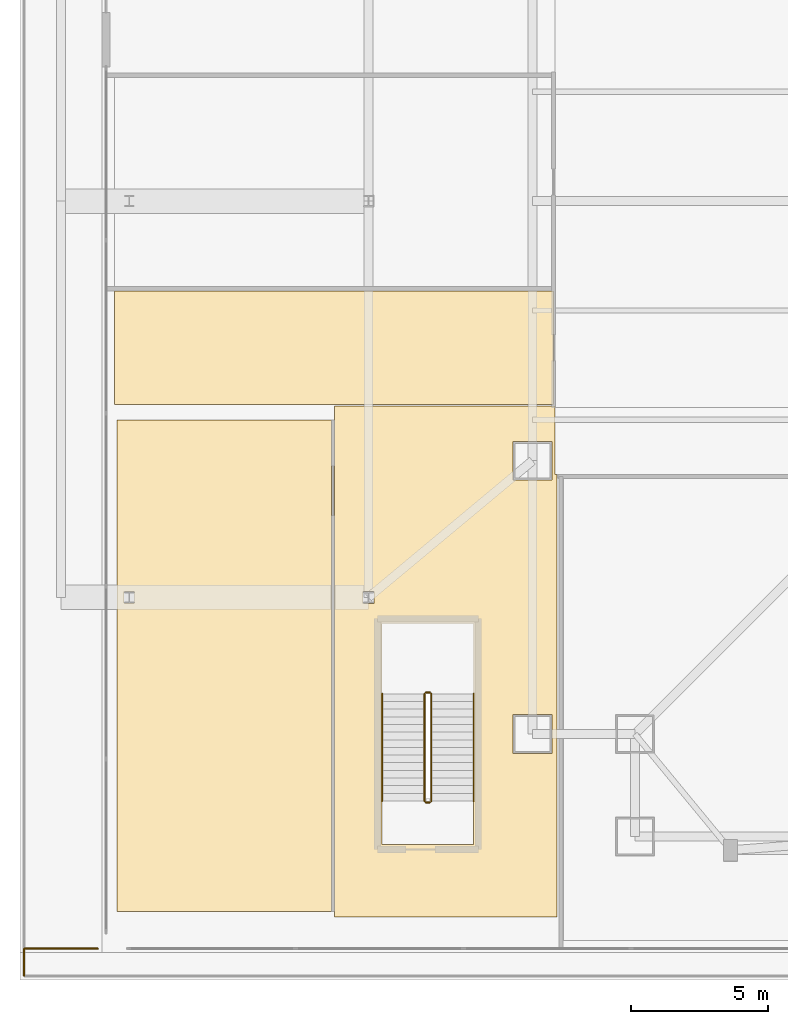
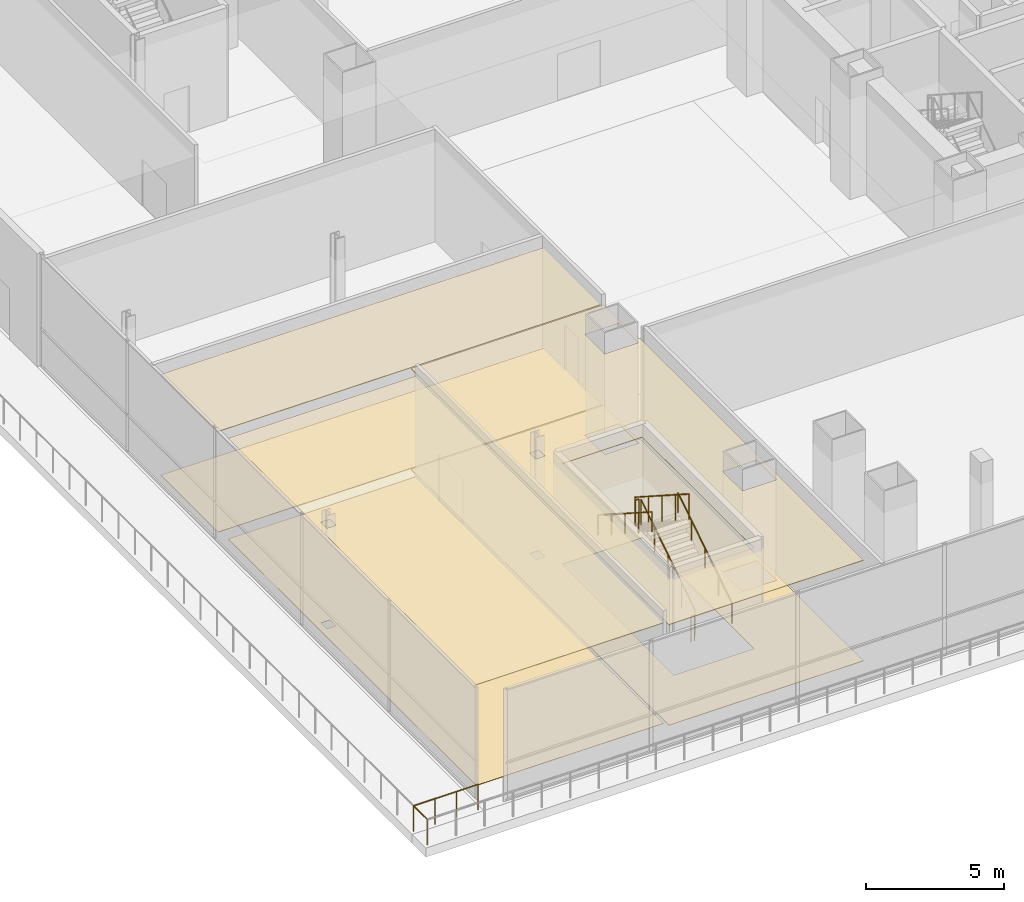
# One storey, part 25 of 36: 8 railings, 6 coverings.
"""IFC4 building model written with IfcOpenShell, lengths in metres."""

from ifc_helpers import new_model, si_unit, direction, frame, origin, origin_2d, place, context, subcontext, project, spatial, polyline, circle, outline, extrude, material, layer, layer_set, type_object, element, save


model = new_model("IFC4")

# Units and contexts
model_context = context("Model", 3, precision=1e-05, world=origin(), true_north=direction((0.0, 1.0)))
body_context = subcontext(model_context, "Body", "Model", "MODEL_VIEW")
ifc_project = project(units=[si_unit("LENGTHUNIT", "METRE"), si_unit("AREAUNIT", "SQUARE_METRE"), si_unit("VOLUMEUNIT", "CUBIC_METRE"), si_unit("PLANEANGLEUNIT", "RADIAN"), si_unit("MASSUNIT", "GRAM", prefix="KILO")], contexts=[model_context])

# Site, building, storey
site_placement = place(None, origin())
site = spatial("IfcSite", under=ifc_project, at=site_placement, CompositionType="ELEMENT")
building_placement = place(site_placement, origin())
building = spatial("IfcBuilding", under=site, at=building_placement, Name="Trevonay Congress Spire", CompositionType="ELEMENT")
storey_placement = place(building_placement, frame((0.0, 0.0, 5.39990234375)))
storey = spatial("IfcBuildingStorey", under=building, at=storey_placement, Name="L01", CompositionType="ELEMENT", Elevation=5.39990234375)

# Coverings
ifc_material_1 = material(Name="Acoustic Mineral Fibre Board", Category="gypsum")
ifc_layer_1 = layer(ifc_material_1, 0.02490234375, Name="Acoustic Mineral Fibre Board")
ifc_layer_set_1 = layer_set([ifc_layer_1], Name="Acoustic Mineral Fibre Board")
covering_type_1 = type_object("IfcCoveringType", Name="COV-CEIL-ACOUSTIC", PredefinedType="CEILING", material=ifc_layer_set_1)
covering_1_placement = place(storey_placement, frame((0.0, 0.0, 4.4501953125)))
element("IfcCovering", 1, at=covering_1_placement, inside=storey, type_object=covering_type_1, Name="L01 West Convention Breakout Salon acoustic suspended ceiling", PredefinedType="CEILING", context=body_context, shape_type="SweptSolid", body=[
    extrude(outline(polyline([(-38.550048828125, -7.449951171875), (-22.47998046875, -7.449951171875), (-22.47998046875, -3.280029296875), (-38.550048828125, -3.280029296875), (-38.550048828125, -7.449951171875)])), origin(), (0.0, 0.0, 1.0), 0.02490234375),
])
covering_2_placement = place(storey_placement, frame((0.0, 0.0, 4.4501953125)))
element("IfcCovering", 2, at=covering_2_placement, inside=storey, type_object=covering_type_1, Name="L01 L01 Stair Lobby SW acoustic suspended ceiling", PredefinedType="CEILING", context=body_context, shape_type="SweptSolid", body=[
    extrude(outline(polyline([(-30.5, -26.199951171875), (-30.5, -7.5), (-22.419921875, -7.5), (-22.419921875, -7.550048828125), (-22.419921875, -10.0), (-22.35009765625, -10.0), (-22.35009765625, -26.199951171875), (-30.5, -26.199951171875)]), holes=[polyline([(-22.5400390625, -20.2099609375), (-22.5400390625, -18.7900390625), (-23.9599609375, -18.7900390625), (-23.9599609375, -20.2099609375), (-22.5400390625, -20.2099609375)]), polyline([(-29.444091796875, -14.722412109375), (-29.055908203125, -14.722412109375), (-29.055908203125, -14.277587890625), (-29.444091796875, -14.277587890625), (-29.444091796875, -14.722412109375)]), polyline([(-23.9599609375, -10.2099609375), (-22.5400390625, -10.2099609375), (-22.5400390625, -8.7900390625), (-23.9599609375, -8.7900390625), (-23.9599609375, -10.2099609375)]), polyline([(-28.75, -15.449951171875), (-28.75, -23.550048828125), (-25.39990234375, -23.550048828125), (-25.39990234375, -15.449951171875), (-28.75, -15.449951171875)])]), origin(), (0.0, 0.0, 1.0), 0.02490234375),
])
covering_3_placement = place(storey_placement, frame((0.0, 0.0, 4.4501953125)))
element("IfcCovering", 3, at=covering_3_placement, inside=storey, type_object=covering_type_1, Name="L01 L01 South-West Exhibition Salon acoustic suspended ceiling", PredefinedType="CEILING", context=body_context, shape_type="SweptSolid", body=[
    extrude(outline(polyline([(-38.449951171875, -8.0), (-30.60009765625, -8.0), (-30.60009765625, -26.0), (-38.449951171875, -26.0), (-38.449951171875, -8.0)]), holes=[polyline([(-37.81396484375, -14.71337890625), (-37.81396484375, -14.28662109375), (-38.18603515625, -14.28662109375), (-38.18603515625, -14.71337890625), (-37.81396484375, -14.71337890625)])]), origin(), (0.0, 0.0, 1.0), 0.02490234375),
])
ifc_material_2 = material(Name="Polished Granite Floor Tile", Category="masonry")
ifc_layer_2 = layer(ifc_material_2, 0.02001953125, Name="Polished Granite Floor Tile")
ifc_layer_set_2 = layer_set([ifc_layer_2], Name="Polished Granite Floor Tile")
covering_type_2 = type_object("IfcCoveringType", Name="COV-FLOOR-STONE", PredefinedType="FLOORING", material=ifc_layer_set_2)
covering_4_placement = place(storey_placement, origin())
element("IfcCovering", 4, at=covering_4_placement, inside=storey, type_object=covering_type_2, Name="L01 L01 Stair Lobby SW floor finish", PredefinedType="FLOORING", context=body_context, shape_type="SweptSolid", body=[
    extrude(outline(polyline([(-30.5, -26.199951171875), (-30.5, -7.5), (-22.419921875, -7.5), (-22.419921875, -7.550048828125), (-22.419921875, -10.0), (-22.35009765625, -10.0), (-22.35009765625, -26.199951171875), (-30.5, -26.199951171875)]), holes=[polyline([(-22.5400390625, -20.2099609375), (-22.5400390625, -18.7900390625), (-23.9599609375, -18.7900390625), (-23.9599609375, -20.2099609375), (-22.5400390625, -20.2099609375)]), polyline([(-29.444091796875, -14.722412109375), (-29.055908203125, -14.722412109375), (-29.055908203125, -14.277587890625), (-29.444091796875, -14.277587890625), (-29.444091796875, -14.722412109375)]), polyline([(-23.9599609375, -10.2099609375), (-22.5400390625, -10.2099609375), (-22.5400390625, -8.7900390625), (-23.9599609375, -8.7900390625), (-23.9599609375, -10.2099609375)]), polyline([(-28.75, -15.449951171875), (-28.75, -23.550048828125), (-25.39990234375, -23.550048828125), (-25.39990234375, -15.449951171875), (-28.75, -15.449951171875)])]), origin(), (0.0, 0.0, 1.0), 0.02001953125),
])
ifc_material_3 = material(Name="Engineered Oak Flooring", Category="wood")
ifc_layer_3 = layer(ifc_material_3, 0.01806640625, Name="Engineered Oak Flooring")
ifc_layer_set_3 = layer_set([ifc_layer_3], Name="Engineered Oak Flooring")
covering_type_3 = type_object("IfcCoveringType", Name="COV-FLOOR-TIMBER", PredefinedType="FLOORING", material=ifc_layer_set_3)
covering_5_placement = place(storey_placement, origin())
element("IfcCovering", 5, at=covering_5_placement, inside=storey, type_object=covering_type_3, Name="L01 West Convention Breakout Salon floor finish", PredefinedType="FLOORING", context=body_context, shape_type="SweptSolid", body=[
    extrude(outline(polyline([(-38.550048828125, -7.449951171875), (-22.47998046875, -7.449951171875), (-22.47998046875, -3.280029296875), (-38.550048828125, -3.280029296875), (-38.550048828125, -7.449951171875)])), origin(), (0.0, 0.0, 1.0), 0.01806640625),
])
covering_6_placement = place(storey_placement, origin())
element("IfcCovering", 6, at=covering_6_placement, inside=storey, type_object=covering_type_3, Name="L01 L01 South-West Exhibition Salon floor finish", PredefinedType="FLOORING", context=body_context, shape_type="SweptSolid", body=[
    extrude(outline(polyline([(-38.449951171875, -8.0), (-30.60009765625, -8.0), (-30.60009765625, -26.0), (-38.449951171875, -26.0), (-38.449951171875, -8.0)]), holes=[polyline([(-37.81396484375, -14.71337890625), (-37.81396484375, -14.28662109375), (-38.18603515625, -14.28662109375), (-38.18603515625, -14.71337890625), (-37.81396484375, -14.71337890625)])]), origin(), (0.0, 0.0, 1.0), 0.01806640625),
])

# Railings
ifc_material_4 = material(Name="Pale Anodised Aluminium EN AW-6063-T6", Category="aluminium")
railing_type_1 = type_object("IfcRailingType", Name="RAL-EXT-GUARD-115", PredefinedType="GUARDRAIL", material=ifc_material_4)
railing_1_placement = place(storey_placement, frame((-41.85009765625, -27.35009765625, 0.0)))
element("IfcRailing", 7, at=railing_1_placement, inside=storey, type_object=railing_type_1, Name="L01 perimeter safety guard GRD-L01-TER-W-1", PredefinedType="GUARDRAIL", context=body_context, shape_type="SweptSolid", body=[
    extrude(circle(Radius=0.02392578125, at=origin_2d()), frame((0.0, 0.0, 1.1259765625), z_axis=(1.0, 0.0, 0.0), x_axis=(0.0, 1.0, 0.0)), (0.0, 0.0, 1.0), 2.7001953125),
    extrude(circle(Radius=0.02099609375, at=origin_2d()), origin(), (0.0, 0.0, 1.0), 1.101806640625),
    extrude(circle(Radius=0.02099609375, at=origin_2d()), frame((0.900146484375, 0.0, 0.0)), (0.0, 0.0, 1.0), 1.101806640625),
    extrude(circle(Radius=0.02099609375, at=origin_2d()), frame((1.800048828125, 0.0, 0.0)), (0.0, 0.0, 1.0), 1.101806640625),
    extrude(circle(Radius=0.02099609375, at=origin_2d()), frame((2.7001953125, 0.0, 0.0)), (0.0, 0.0, 1.0), 1.101806640625),
])
railing_2_placement = place(storey_placement, frame((-41.85009765625, -27.35009765625, 0.0)))
element("IfcRailing", 8, at=railing_2_placement, inside=storey, type_object=railing_type_1, Name="L01 perimeter safety guard GRD-L01-TER-S-1", PredefinedType="GUARDRAIL", context=body_context, shape_type="SweptSolid", body=[
    extrude(circle(Radius=0.02392578125, at=origin_2d()), frame((0.0, 0.0, 1.1259765625), z_axis=(0.0, -1.0, 0.0), x_axis=(1.0, 0.0, 0.0)), (0.0, 0.0, 1.0), 1.0),
    extrude(circle(Radius=0.02099609375, at=origin_2d()), origin(), (0.0, 0.0, 1.0), 1.101806640625),
    extrude(circle(Radius=0.02099609375, at=origin_2d()), frame((0.0, -1.0, 0.0)), (0.0, 0.0, 1.0), 1.101806640625),
])
railing_type_2 = type_object("IfcRailingType", Name="RAL-STAIR-GUARD-110", PredefinedType="GUARDRAIL", material=ifc_material_4)
railing_3_placement = place(storey_placement, frame((-26.949951171875, -21.949951171875, 0.18017578125)))
element("IfcRailing", 9, at=railing_3_placement, inside=storey, type_object=railing_type_2, Name="L01 ST-3 stair guard 1", PredefinedType="GUARDRAIL", context=body_context, shape_type="SweptSolid", body=[
    extrude(circle(Radius=0.02392578125, at=origin_2d()), frame((0.0, 0.0, 1.1259765625), z_axis=(0.0, 0.841171666519, 0.540768182723), x_axis=(-1.0, 0.0, 0.0)), (0.0, 0.0, 1.0), 4.66015625),
    extrude(circle(Radius=0.02099609375, at=origin_2d()), origin(), (0.0, 0.0, 1.0), 1.101806640625),
    extrude(circle(Radius=0.02099609375, at=origin_2d()), frame((0.0, 0.97998046875, 0.6298828125)), (0.0, 0.0, 1.0), 1.101806640625),
    extrude(circle(Radius=0.02099609375, at=origin_2d()), frame((0.0, 1.9599609375, 1.260009765625)), (0.0, 0.0, 1.0), 1.101806640625),
    extrude(circle(Radius=0.02099609375, at=origin_2d()), frame((0.0, 2.93994140625, 1.89013671875)), (0.0, 0.0, 1.0), 1.101806640625),
    extrude(circle(Radius=0.02099609375, at=origin_2d()), frame((0.0, 3.919921875, 2.52001953125)), (0.0, 0.0, 1.0), 1.101806640625),
])
railing_4_placement = place(storey_placement, frame((-27.0, -17.97998046875, 2.7001953125)))
element("IfcRailing", 10, at=railing_4_placement, inside=storey, type_object=railing_type_2, Name="L01 ST-3 stair guard 2", PredefinedType="GUARDRAIL", context=body_context, shape_type="SweptSolid", body=[
    extrude(circle(Radius=0.02392578125, at=origin_2d()), frame((0.0, 0.0, 1.1259765625), z_axis=(-1.0, 0.0, 0.0), x_axis=(0.0, -1.0, 0.0)), (0.0, 0.0, 1.0), 0.14990234375),
    extrude(circle(Radius=0.02099609375, at=origin_2d()), origin(), (0.0, 0.0, 1.0), 1.101806640625),
    extrude(circle(Radius=0.02099609375, at=origin_2d()), frame((-0.14990234375, 0.0, 0.0)), (0.0, 0.0, 1.0), 1.101806640625),
])
railing_5_placement = place(storey_placement, frame((-27.199951171875, -18.030029296875, 2.880126953125)))
element("IfcRailing", 11, at=railing_5_placement, inside=storey, type_object=railing_type_2, Name="L01 ST-3 stair guard 3", PredefinedType="GUARDRAIL", context=body_context, shape_type="SweptSolid", body=[
    extrude(circle(Radius=0.02392578125, at=origin_2d()), frame((0.0, 0.0, 1.1259765625), z_axis=(0.0, -0.841171666519, 0.540768182723), x_axis=(1.0, 0.0, 0.0)), (0.0, 0.0, 1.0), 4.66015625),
    extrude(circle(Radius=0.02099609375, at=origin_2d()), origin(), (0.0, 0.0, 1.0), 1.101806640625),
    extrude(circle(Radius=0.02099609375, at=origin_2d()), frame((0.0, -0.97998046875, 0.6298828125)), (0.0, 0.0, 1.0), 1.101806640625),
    extrude(circle(Radius=0.02099609375, at=origin_2d()), frame((0.0, -1.9599609375, 1.260009765625)), (0.0, 0.0, 1.0), 1.101806640625),
    extrude(circle(Radius=0.02099609375, at=origin_2d()), frame((0.0, -2.93994140625, 1.89013671875)), (0.0, 0.0, 1.0), 1.101806640625),
    extrude(circle(Radius=0.02099609375, at=origin_2d()), frame((0.0, -3.919921875, 2.52001953125)), (0.0, 0.0, 1.0), 1.101806640625),
])
railing_6_placement = place(storey_placement, frame((-27.0, -22.0, 0.0)))
element("IfcRailing", 12, at=railing_6_placement, inside=storey, type_object=railing_type_2, Name="L01 ST-3 stair guard 4", PredefinedType="GUARDRAIL", context=body_context, shape_type="SweptSolid", body=[
    extrude(circle(Radius=0.02392578125, at=origin_2d()), frame((0.0, 0.0, 1.1259765625), z_axis=(-1.0, 0.0, 0.0), x_axis=(0.0, -1.0, 0.0)), (0.0, 0.0, 1.0), 0.14990234375),
    extrude(circle(Radius=0.02099609375, at=origin_2d()), origin(), (0.0, 0.0, 1.0), 1.101806640625),
    extrude(circle(Radius=0.02099609375, at=origin_2d()), frame((-0.14990234375, 0.0, 0.0)), (0.0, 0.0, 1.0), 1.101806640625),
])
railing_type_3 = type_object("IfcRailingType", Name="RAL-STAIR-HANDRAIL", PredefinedType="HANDRAIL", material=ifc_material_4)
railing_7_placement = place(storey_placement, frame((-25.39990234375, -21.949951171875, 0.18017578125)))
element("IfcRailing", 13, at=railing_7_placement, inside=storey, type_object=railing_type_3, Name="L01 ST-3 stair handrail 1", PredefinedType="HANDRAIL", context=body_context, shape_type="SweptSolid", body=[
    extrude(circle(Radius=0.02392578125, at=origin_2d()), frame((0.0, 0.0, 0.8759765625), z_axis=(0.0, 0.841171666519, 0.540768182723), x_axis=(-1.0, 0.0, 0.0)), (0.0, 0.0, 1.0), 4.66015625),
    extrude(circle(Radius=0.02099609375, at=origin_2d()), origin(), (0.0, 0.0, 1.0), 0.851806640625),
    extrude(circle(Radius=0.02099609375, at=origin_2d()), frame((0.0, 0.97998046875, 0.6298828125)), (0.0, 0.0, 1.0), 0.851806640625),
    extrude(circle(Radius=0.02099609375, at=origin_2d()), frame((0.0, 1.9599609375, 1.260009765625)), (0.0, 0.0, 1.0), 0.851806640625),
    extrude(circle(Radius=0.02099609375, at=origin_2d()), frame((0.0, 2.93994140625, 1.89013671875)), (0.0, 0.0, 1.0), 0.851806640625),
    extrude(circle(Radius=0.02099609375, at=origin_2d()), frame((0.0, 3.919921875, 2.52001953125)), (0.0, 0.0, 1.0), 0.851806640625),
])
railing_8_placement = place(storey_placement, frame((-28.75, -18.030029296875, 2.880126953125)))
element("IfcRailing", 14, at=railing_8_placement, inside=storey, type_object=railing_type_3, Name="L01 ST-3 stair handrail 2", PredefinedType="HANDRAIL", context=body_context, shape_type="SweptSolid", body=[
    extrude(circle(Radius=0.02392578125, at=origin_2d()), frame((0.0, 0.0, 0.8759765625), z_axis=(0.0, -0.841171666519, 0.540768182723), x_axis=(1.0, 0.0, 0.0)), (0.0, 0.0, 1.0), 4.66015625),
    extrude(circle(Radius=0.02099609375, at=origin_2d()), origin(), (0.0, 0.0, 1.0), 0.851806640625),
    extrude(circle(Radius=0.02099609375, at=origin_2d()), frame((0.0, -0.97998046875, 0.6298828125)), (0.0, 0.0, 1.0), 0.851806640625),
    extrude(circle(Radius=0.02099609375, at=origin_2d()), frame((0.0, -1.9599609375, 1.260009765625)), (0.0, 0.0, 1.0), 0.851806640625),
    extrude(circle(Radius=0.02099609375, at=origin_2d()), frame((0.0, -2.93994140625, 1.89013671875)), (0.0, 0.0, 1.0), 0.851806640625),
    extrude(circle(Radius=0.02099609375, at=origin_2d()), frame((0.0, -3.919921875, 2.52001953125)), (0.0, 0.0, 1.0), 0.851806640625),
])

save(model, "model.ifc")
